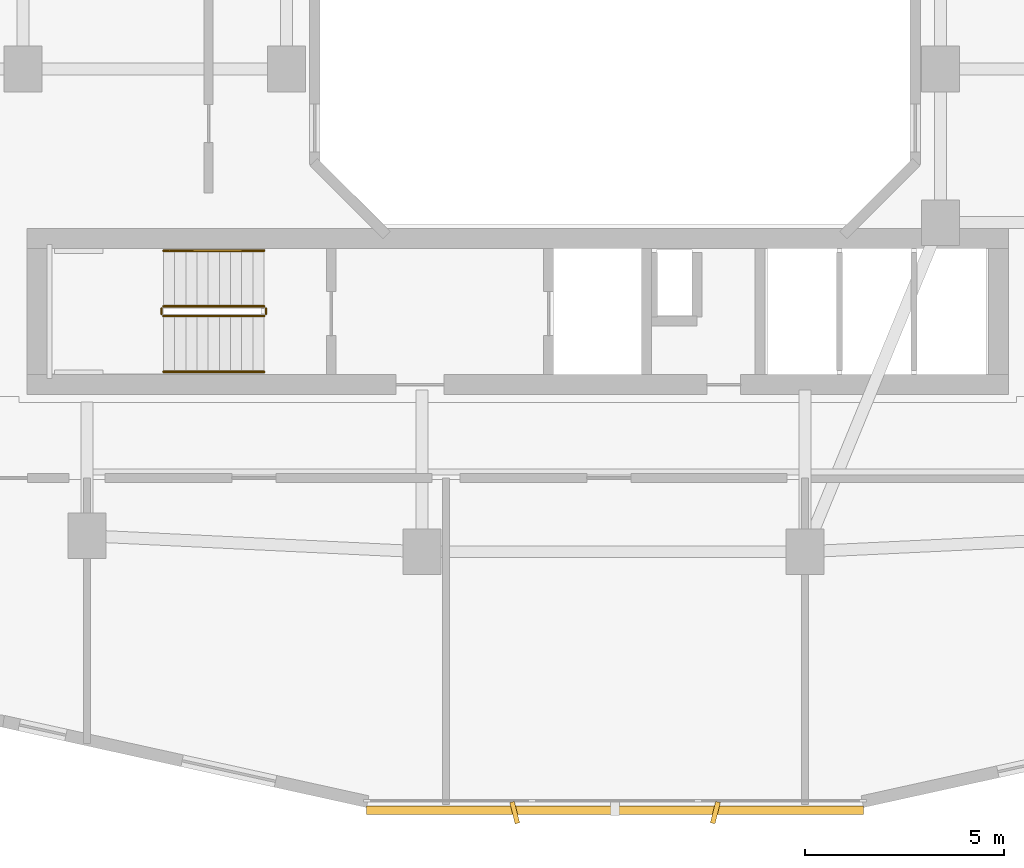
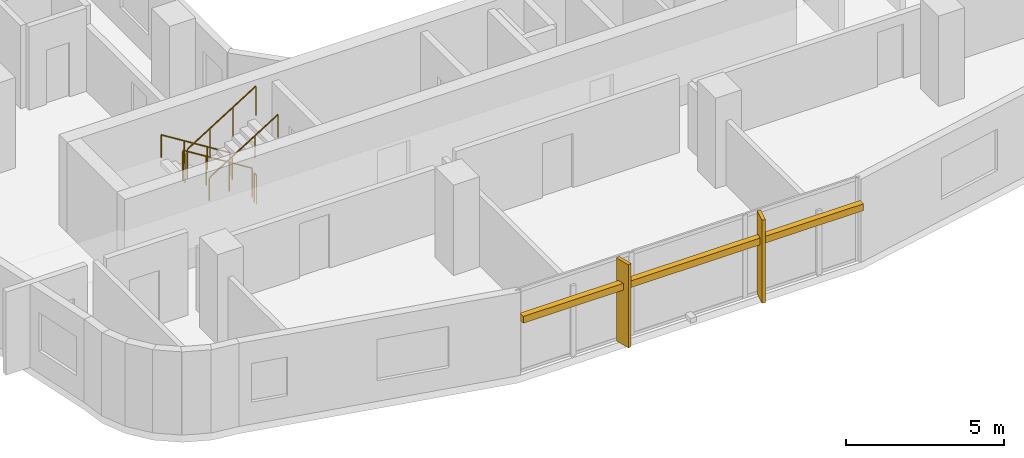
# One storey, part 22 of 26: 6 railings, 3 shading devices.
"""IFC4 building model written with IfcOpenShell, lengths in metres."""

from ifc_helpers import new_model, si_unit, derived_unit, direction, frame, origin, origin_2d, place, context, subcontext, project, spatial, rectangle, circle, extrude, material, type_object, element, save


model = new_model("IFC4")

# Units and contexts
model_context = context("Model", 3, precision=1e-05, world=origin(), true_north=direction((0.0, 1.0)))
body_context = subcontext(model_context, "Body", "Model", "MODEL_VIEW")
ifc_project = project(units=[si_unit("LENGTHUNIT", "METRE"), si_unit("AREAUNIT", "SQUARE_METRE"), si_unit("VOLUMEUNIT", "CUBIC_METRE"), si_unit("PLANEANGLEUNIT", "RADIAN"), si_unit("MASSUNIT", "GRAM", prefix="KILO"), derived_unit("THERMALTRANSMITTANCEUNIT", [(si_unit("POWERUNIT", "WATT"), 1), (si_unit("LENGTHUNIT", "METRE"), -2), (si_unit("THERMODYNAMICTEMPERATUREUNIT", "KELVIN"), -1)])], contexts=[model_context])

# Site, building, storey
site_placement = place(None, origin())
site = spatial("IfcSite", under=ifc_project, at=site_placement, CompositionType="ELEMENT")
building_placement = place(site_placement, origin())
building = spatial("IfcBuilding", under=site, at=building_placement, Name="Kivonza Crest Hotel", CompositionType="ELEMENT")
storey_placement = place(building_placement, frame((0.0, 0.0, 66.0)))
storey = spatial("IfcBuildingStorey", under=building, at=storey_placement, Name="L17", CompositionType="ELEMENT", Elevation=66.0)

# Railings
ifc_material_1 = material(Name="Brushed stainless steel handrail", Category="steel")
railing_type_1 = type_object("IfcRailingType", Name="RL-HAND-900", PredefinedType="HANDRAIL", material=ifc_material_1)
railing_1_placement = place(storey_placement, frame((12.239990234375, 16.949951171875, 0.175048828125)))
element("IfcRailing", 1, at=railing_1_placement, inside=storey, type_object=railing_type_1, Name="L17 ST-T1-S stair handrail 1", PredefinedType="HANDRAIL", context=body_context, shape_type="SweptSolid", body=[
    extrude(circle(Radius=0.02392578125, at=origin_2d()), frame((0.0, 0.0, 0.8759765625), z_axis=(-0.848007534815, 0.0, 0.529984170421), x_axis=(0.0, -1.0, 0.0)), (0.0, 0.0, 1.0), 2.9716796875),
    extrude(circle(Radius=0.02099609375, at=origin_2d()), origin(), (0.0, 0.0, 1.0), 0.851806640625),
    extrude(circle(Radius=0.02099609375, at=origin_2d()), frame((-0.840087890625, 0.0, 0.52490234375)), (0.0, 0.0, 1.0), 0.851806640625),
    extrude(circle(Radius=0.02099609375, at=origin_2d()), frame((-1.679931640625, 0.0, 1.050048828125)), (0.0, 0.0, 1.0), 0.851806640625),
    extrude(circle(Radius=0.02099609375, at=origin_2d()), frame((-2.52001953125, 0.0, 1.574951171875)), (0.0, 0.0, 1.0), 0.851806640625),
])
railing_2_placement = place(storey_placement, frame((9.719970703125, 13.909912109375, 1.925048828125)))
element("IfcRailing", 2, at=railing_2_placement, inside=storey, type_object=railing_type_1, Name="L17 ST-T1-S stair handrail 2", PredefinedType="HANDRAIL", context=body_context, shape_type="SweptSolid", body=[
    extrude(circle(Radius=0.02392578125, at=origin_2d()), frame((0.0, 0.0, 0.8759765625), z_axis=(0.848007534815, 0.0, 0.529984170421), x_axis=(0.0, 1.0, 0.0)), (0.0, 0.0, 1.0), 2.9716796875),
    extrude(circle(Radius=0.02099609375, at=origin_2d()), origin(), (0.0, 0.0, 1.0), 0.851806640625),
    extrude(circle(Radius=0.02099609375, at=origin_2d()), frame((0.840087890625, 0.0, 0.52490234375)), (0.0, 0.0, 1.0), 0.851806640625),
    extrude(circle(Radius=0.02099609375, at=origin_2d()), frame((1.679931640625, 0.0, 1.050048828125)), (0.0, 0.0, 1.0), 0.851806640625),
    extrude(circle(Radius=0.02099609375, at=origin_2d()), frame((2.52001953125, 0.0, 1.574951171875)), (0.0, 0.0, 1.0), 0.851806640625),
])
ifc_material_2 = material(Name="Painted steel balustrade", Category="steel")
railing_type_2 = type_object("IfcRailingType", Name="RL-STAIR-1150", PredefinedType="BALUSTRADE", material=ifc_material_2)
railing_3_placement = place(storey_placement, frame((12.239990234375, 15.550048828125, 0.175048828125)))
element("IfcRailing", 3, at=railing_3_placement, inside=storey, type_object=railing_type_2, Name="L17 ST-T1-S stair guard 1", PredefinedType="BALUSTRADE", context=body_context, shape_type="SweptSolid", body=[
    extrude(circle(Radius=0.02392578125, at=origin_2d()), frame((0.0, 0.0, 1.1259765625), z_axis=(-0.848007534815, 0.0, 0.529984170421), x_axis=(0.0, -1.0, 0.0)), (0.0, 0.0, 1.0), 2.9716796875),
    extrude(circle(Radius=0.02099609375, at=origin_2d()), origin(), (0.0, 0.0, 1.0), 1.101806640625),
    extrude(circle(Radius=0.02099609375, at=origin_2d()), frame((-0.840087890625, 0.0, 0.52490234375)), (0.0, 0.0, 1.0), 1.101806640625),
    extrude(circle(Radius=0.02099609375, at=origin_2d()), frame((-1.679931640625, 0.0, 1.050048828125)), (0.0, 0.0, 1.0), 1.101806640625),
    extrude(circle(Radius=0.02099609375, at=origin_2d()), frame((-2.52001953125, 0.0, 1.574951171875)), (0.0, 0.0, 1.0), 1.101806640625),
])
railing_4_placement = place(storey_placement, frame((9.669921875, 15.5, 1.75)))
element("IfcRailing", 4, at=railing_4_placement, inside=storey, type_object=railing_type_2, Name="L17 ST-T1-S stair guard 2", PredefinedType="BALUSTRADE", context=body_context, shape_type="SweptSolid", body=[
    extrude(circle(Radius=0.02392578125, at=origin_2d()), frame((0.0, 0.0, 1.1259765625), z_axis=(0.0, -1.0, 0.0), x_axis=(1.0, 0.0, 0.0)), (0.0, 0.0, 1.0), 0.139892578125),
    extrude(circle(Radius=0.02099609375, at=origin_2d()), origin(), (0.0, 0.0, 1.0), 1.101806640625),
    extrude(circle(Radius=0.02099609375, at=origin_2d()), frame((0.0, -0.139892578125, 0.0)), (0.0, 0.0, 1.0), 1.101806640625),
])
railing_5_placement = place(storey_placement, frame((9.719970703125, 15.31005859375, 1.925048828125)))
element("IfcRailing", 5, at=railing_5_placement, inside=storey, type_object=railing_type_2, Name="L17 ST-T1-S stair guard 3", PredefinedType="BALUSTRADE", context=body_context, shape_type="SweptSolid", body=[
    extrude(circle(Radius=0.02392578125, at=origin_2d()), frame((0.0, 0.0, 1.1259765625), z_axis=(0.848007534815, 0.0, 0.529984170421), x_axis=(0.0, 1.0, 0.0)), (0.0, 0.0, 1.0), 2.9716796875),
    extrude(circle(Radius=0.02099609375, at=origin_2d()), origin(), (0.0, 0.0, 1.0), 1.101806640625),
    extrude(circle(Radius=0.02099609375, at=origin_2d()), frame((0.840087890625, 0.0, 0.52490234375)), (0.0, 0.0, 1.0), 1.101806640625),
    extrude(circle(Radius=0.02099609375, at=origin_2d()), frame((1.679931640625, 0.0, 1.050048828125)), (0.0, 0.0, 1.0), 1.101806640625),
    extrude(circle(Radius=0.02099609375, at=origin_2d()), frame((2.52001953125, 0.0, 1.574951171875)), (0.0, 0.0, 1.0), 1.101806640625),
])
railing_6_placement = place(storey_placement, frame((12.2900390625, 15.5, 0.0)))
element("IfcRailing", 6, at=railing_6_placement, inside=storey, type_object=railing_type_2, Name="L17 ST-T1-S stair guard 4", PredefinedType="BALUSTRADE", context=body_context, shape_type="SweptSolid", body=[
    extrude(circle(Radius=0.02392578125, at=origin_2d()), frame((0.0, 0.0, 1.1259765625), z_axis=(0.0, -1.0, 0.0), x_axis=(1.0, 0.0, 0.0)), (0.0, 0.0, 1.0), 0.139892578125),
    extrude(circle(Radius=0.02099609375, at=origin_2d()), origin(), (0.0, 0.0, 1.0), 1.101806640625),
    extrude(circle(Radius=0.02099609375, at=origin_2d()), frame((0.0, -0.139892578125, 0.0)), (0.0, 0.0, 1.0), 1.101806640625),
])

# Shading devices
ifc_material_3 = material(Name="Kiln-fired Nairobi red-ochre terracotta", Category="masonry")
shading_device_type_1 = type_object("IfcShadingDeviceType", Name="SH-BAGUETTE-300", PredefinedType="USERDEFINED", material=ifc_material_3)
shading_device_placement = place(storey_placement, frame((21.0400390625, 2.919921875, 2.1240234375), z_axis=(0.0, 0.0, 1.0), x_axis=(1.0, 0.0, 0.0)))
element("IfcShadingDevice", 7, at=shading_device_placement, inside=storey, type_object=shading_device_type_1, Name="L17 terracotta baguette screen CW-T1-L17-08", ObjectType="BAGUETTE", PredefinedType="USERDEFINED", context=body_context, shape_type="SweptSolid", body=[
    extrude(rectangle(XDim=12.4560546875, YDim=0.219970703125, at=origin_2d()), origin(), (0.0, 0.0, 1.0), 0.260009765625),
])
ifc_material_4 = material(Name="Kiln-fired terracotta over extruded aluminium spine", Category="masonry")
shading_device_type_2 = type_object("IfcShadingDeviceType", Name="SH-FIN-550", PredefinedType="USERDEFINED", material=ifc_material_4)
for number, where, z_axis, x_axis, name in (
    (8, (18.52490234375, 2.860107421875, 0.0), (0.0, 0.0, 1.0), (0.970295726276, 0.2419218956, 0.0), "L17 vertical solar shading fin CW-T1-L17-08-1"),
    (9, (23.554931640625, 2.860107421875, 0.0), (0.0, 0.0, 1.0), (0.970295726276, -0.2419218956, 0.0), "L17 vertical solar shading fin CW-T1-L17-08-2"),
):
    element("IfcShadingDevice", number, at=place(storey_placement, frame(where, z_axis=z_axis, x_axis=x_axis)), inside=storey, type_object=shading_device_type_2, Name=name, ObjectType="FIN", PredefinedType="USERDEFINED", context=body_context, shape_type="SweptSolid", body=[
        extrude(rectangle(XDim=0.1201171875, YDim=0.550048828125, at=origin_2d()), origin(), (0.0, 0.0, 1.0), 3.219970703125),
    ])

save(model, "model.ifc")
